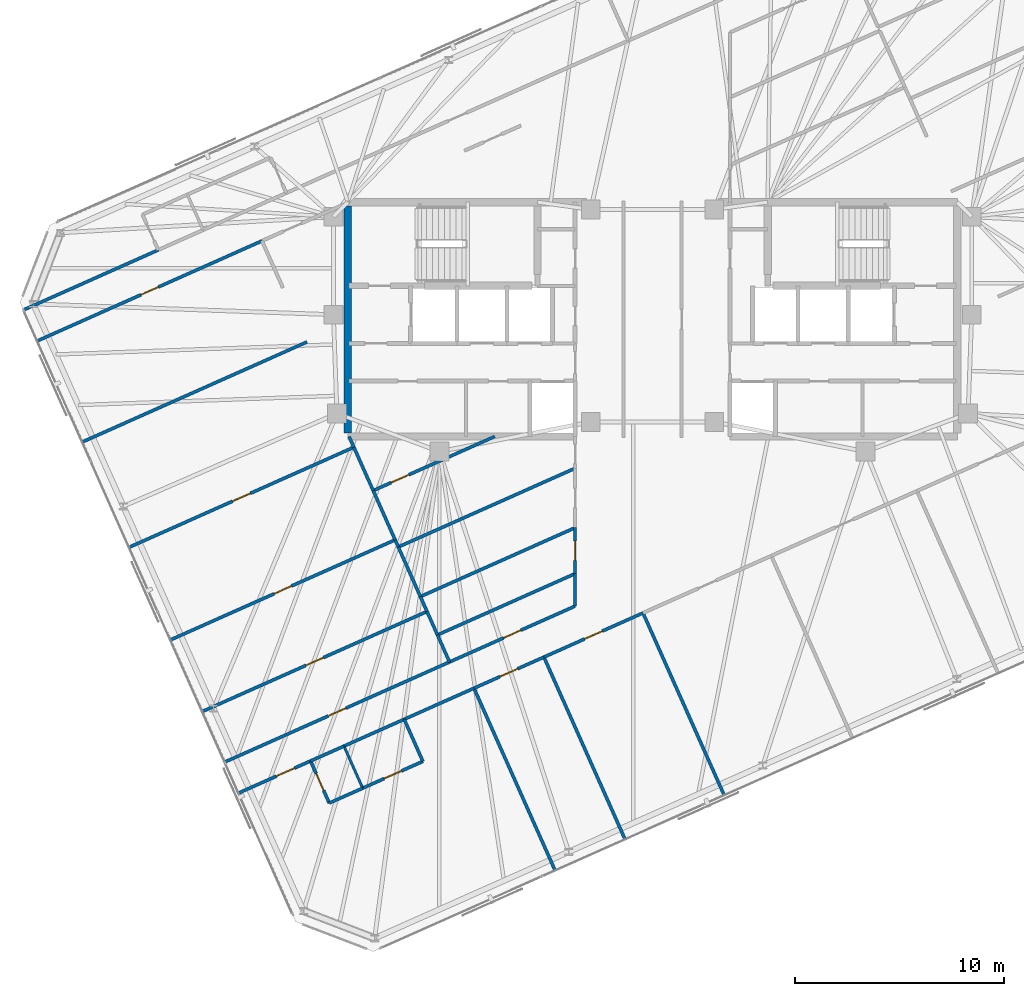
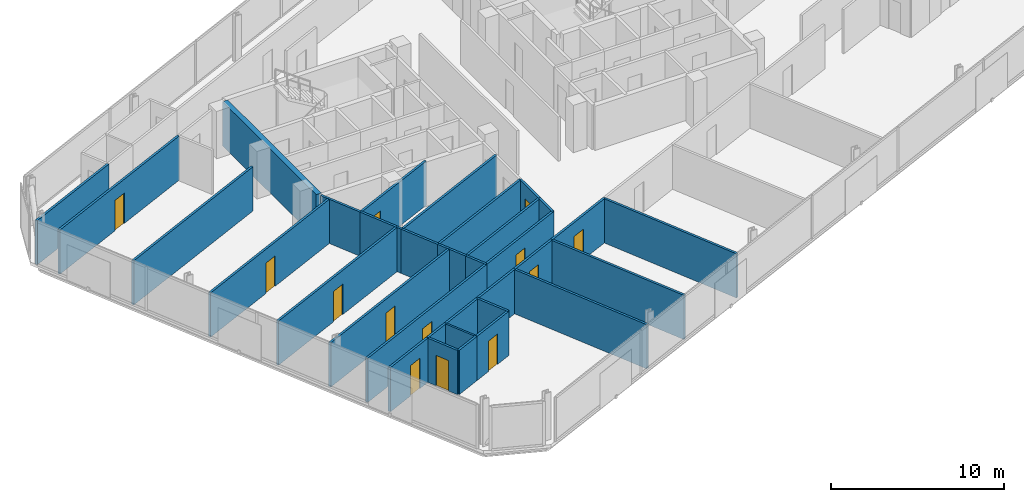
# One storey, part 13 of 19: 37 walls, 13 doors, 13 openings.
"""IFC4 building model written with IfcOpenShell, lengths in metres."""

from ifc_helpers import new_model, si_unit, direction, frame, frame_2d, origin, place, context, subcontext, project, spatial, rectangle, extrude, material, layer, layer_set, type_object, element, fill, save


model = new_model("IFC4")

# Units and contexts
model_context = context("Model", 3, precision=1e-05, world=origin(), true_north=direction((0.0, 1.0)))
body_context = subcontext(model_context, "Body", "Model", "MODEL_VIEW")
ifc_project = project(units=[si_unit("LENGTHUNIT", "METRE"), si_unit("AREAUNIT", "SQUARE_METRE"), si_unit("VOLUMEUNIT", "CUBIC_METRE"), si_unit("PLANEANGLEUNIT", "RADIAN"), si_unit("MASSUNIT", "GRAM", prefix="KILO")], contexts=[model_context])

# Site, building, storey
site_placement = place(None, origin())
site = spatial("IfcSite", under=ifc_project, at=site_placement, CompositionType="ELEMENT")
building_placement = place(site_placement, origin())
building = spatial("IfcBuilding", under=site, at=building_placement, Name="Menara Jurai Vektor", CompositionType="ELEMENT")
storey_placement = place(building_placement, frame((0.0, 0.0, 262.199951171875)))
storey = spatial("IfcBuildingStorey", under=building, at=storey_placement, Name="L70", CompositionType="ELEMENT", Elevation=262.199951171875)

# Wall
ifc_material_1 = material(Name="Gypsum Fireboard Partition", Category="gypsum")
ifc_layer_1 = layer(ifc_material_1, 0.14990234375)
ifc_layer_set_1 = layer_set([ifc_layer_1], Name="Gypsum Fireboard Partition")
wall_type_1 = type_object("IfcWallType", Name="INT-WALL-CORR-150", PredefinedType="PARTITIONING", material=ifc_layer_set_1)
wall_1_placement = place(storey_placement, frame((-30.063232421875, 0.44384765625, 0.0), z_axis=(0.0, 0.0, 1.0), x_axis=(0.91354584652, 0.406735769642, 0.0)))
element("IfcWall", 1, at=wall_1_placement, inside=storey, type_object=wall_type_1, Name="Interior Wall IW-150 L70", PredefinedType="PARTITIONING", context=body_context, shape_type="SweptSolid", body=[
    extrude(rectangle(XDim=7.052978515625, YDim=0.14990234375, at=frame_2d((3.5263671875, 0.0))), origin(), (0.0, 0.0, 1.0), 3.125),
])

# Wall, opening, door
wall_2_placement = place(storey_placement, frame((-19.786376953125, -22.638671875, 0.0), z_axis=(0.0, 0.0, 1.0), x_axis=(0.913541633228, 0.406745232743, 0.0)))
wall_2 = element("IfcWall", 2, at=wall_2_placement, inside=storey, type_object=wall_type_1, Name="Interior Wall IW-150 L70", PredefinedType="PARTITIONING", context=body_context, shape_type="SweptSolid", body=[
    extrude(rectangle(XDim=3.77001953125, YDim=0.14990234375, at=frame_2d((1.885009765625, 0.0))), origin(), (0.0, 0.0, 1.0), 3.125),
])
opening_1_placement = place(wall_2_placement, frame((1.9755859375, 0.0, 0.0)))
opening_1 = element("IfcOpeningElement", 3, at=opening_1_placement, cuts=wall_2, Name="Opening D70-15", PredefinedType="OPENING", context=body_context, shape_type="SweptSolid", body=[
    extrude(rectangle(XDim=0.949951171875, YDim=2.14990234375, at=frame_2d((0.47509765625, 1.074951171875))), frame((0.0, 0.0849609375, 0.0), z_axis=(0.0, -1.0, 0.0), x_axis=(1.0, 0.0, 0.0)), (0.0, 0.0, 1.0), 0.169921875),
])
ifc_material_2 = material(Name="Solid Core Timber Fire Door", Category="wood")
door_type_1 = type_object("IfcDoorType", Name="DR-ENTRY-950", OperationType="NOTDEFINED", PredefinedType="DOOR", material=ifc_material_2)
door_1_placement = place(opening_1_placement, origin())
door_1 = element("IfcDoor", 4, at=door_1_placement, inside=storey, type_object=door_type_1, Name="Interior Door D70-15", OperationType="SINGLE_SWING_RIGHT", OverallHeight=2.14990234375, OverallWidth=0.949951171875, PredefinedType="DOOR", context=body_context, shape_type="SweptSolid", body=[
    extrude(rectangle(XDim=0.949951171875, YDim=2.14990234375, at=frame_2d((0.47509765625, 1.074951171875))), frame((0.0, 0.02490234375, 0.0), z_axis=(0.0, -1.0, 0.0), x_axis=(1.0, 0.0, 0.0)), (0.0, 0.0, 1.0), 0.050048828125),
])
fill(opening_1, door_1)

# Walls
wall_3_placement = place(storey_placement, frame((-11.86767578125, -19.113037109375, 0.0), z_axis=(0.0, 0.0, 1.0), x_axis=(0.913543802, 0.40674036169, 0.0)))
element("IfcWall", 5, at=wall_3_placement, inside=storey, type_object=wall_type_1, Name="Interior Wall IW-150 L70", PredefinedType="PARTITIONING", context=body_context, shape_type="SweptSolid", body=[
    extrude(rectangle(XDim=3.650146484375, YDim=0.14990234375, at=frame_2d((1.8251953125, 0.0))), origin(), (0.0, 0.0, 1.0), 3.125),
])
wall_4_placement = place(storey_placement, frame((-16.34228515625, -21.105224609375, 0.0), z_axis=(0.0, 0.0, 1.0), x_axis=(0.9135579554, 0.406708571492, 0.0)))
element("IfcWall", 6, at=wall_4_placement, inside=storey, type_object=wall_type_1, Name="Interior Wall IW-150 L70", PredefinedType="PARTITIONING", context=body_context, shape_type="SweptSolid", body=[
    extrude(rectangle(XDim=1.748046875, YDim=0.14990234375, at=frame_2d((0.8740234375, 0.0))), origin(), (0.0, 0.0, 1.0), 3.125),
])
wall_5_placement = place(storey_placement, frame((-14.745361328125, -20.394287109375, 0.0), z_axis=(0.0, 0.0, 1.0), x_axis=(0.913542880558, 0.406742431252, 0.0)))
element("IfcWall", 7, at=wall_5_placement, inside=storey, type_object=wall_type_1, Name="Interior Wall IW-150 L70", PredefinedType="PARTITIONING", context=body_context, shape_type="SweptSolid", body=[
    extrude(rectangle(XDim=3.150146484375, YDim=0.14990234375, at=frame_2d((1.5751953125, 0.0))), origin(), (0.0, 0.0, 1.0), 3.125),
])

# Wall, opening, door
wall_6_placement = place(storey_placement, frame((-20.4453125, -21.15869140625, 0.0), z_axis=(0.0, 0.0, 1.0), x_axis=(0.913547681516, 0.406731648137, 0.0)))
wall_6 = element("IfcWall", 8, at=wall_6_placement, inside=storey, type_object=wall_type_1, Name="Interior Wall IW-150 L70", PredefinedType="PARTITIONING", context=body_context, shape_type="SweptSolid", body=[
    extrude(rectangle(XDim=11.760009765625, YDim=0.14990234375, at=frame_2d((5.8798828125, 0.0))), origin(), (0.0, 0.0, 1.0), 3.125),
])
opening_2_placement = place(wall_6_placement, frame((5.419921875, 0.0, 0.0)))
opening_2 = element("IfcOpeningElement", 9, at=opening_2_placement, cuts=wall_6, Name="Opening D70-21", PredefinedType="OPENING", context=body_context, shape_type="SweptSolid", body=[
    extrude(rectangle(XDim=0.919921875, YDim=2.14990234375, at=frame_2d((0.4599609375, 1.074951171875))), frame((0.0, 0.0849609375, 0.0), z_axis=(0.0, -1.0, 0.0), x_axis=(1.0, 0.0, 0.0)), (0.0, 0.0, 1.0), 0.169921875),
])
door_2_placement = place(opening_2_placement, origin())
door_2 = element("IfcDoor", 10, at=door_2_placement, inside=storey, type_object=door_type_1, Name="Interior Door D70-21", OperationType="SINGLE_SWING_RIGHT", OverallHeight=2.14990234375, OverallWidth=0.919921875, PredefinedType="DOOR", context=body_context, shape_type="SweptSolid", body=[
    extrude(rectangle(XDim=0.919921875, YDim=2.14990234375, at=frame_2d((0.4599609375, 1.074951171875))), frame((0.0, 0.02490234375, 0.0), z_axis=(0.0, -1.0, 0.0), x_axis=(1.0, 0.0, 0.0)), (0.0, 0.0, 1.0), 0.050048828125),
])
fill(opening_2, door_2)

wall_7_placement = place(storey_placement, frame((-29.404296875, -1.0361328125, 0.0), z_axis=(0.0, 0.0, 1.0), x_axis=(0.913544247064, 0.406739362069, 0.0)))
wall_7 = element("IfcWall", 11, at=wall_7_placement, inside=storey, type_object=wall_type_1, Name="Interior Wall IW-150 L70", PredefinedType="PARTITIONING", context=body_context, shape_type="SweptSolid", body=[
    extrude(rectangle(XDim=11.759765625, YDim=0.14990234375, at=frame_2d((5.8798828125, 0.0))), origin(), (0.0, 0.0, 1.0), 3.125),
])
opening_3_placement = place(wall_7_placement, frame((5.419921875, 0.0, 0.0)))
opening_3 = element("IfcOpeningElement", 12, at=opening_3_placement, cuts=wall_7, Name="Opening D70-25", PredefinedType="OPENING", context=body_context, shape_type="SweptSolid", body=[
    extrude(rectangle(XDim=0.919921875, YDim=2.14990234375, at=frame_2d((0.4599609375, 1.074951171875))), frame((0.0, 0.0849609375, 0.0), z_axis=(0.0, -1.0, 0.0), x_axis=(1.0, 0.0, 0.0)), (0.0, 0.0, 1.0), 0.169921875),
])
door_3_placement = place(opening_3_placement, origin())
door_3 = element("IfcDoor", 13, at=door_3_placement, inside=storey, type_object=door_type_1, Name="Interior Door D70-25", OperationType="SINGLE_SWING_RIGHT", OverallHeight=2.14990234375, OverallWidth=0.919921875, PredefinedType="DOOR", context=body_context, shape_type="SweptSolid", body=[
    extrude(rectangle(XDim=0.919921875, YDim=2.14990234375, at=frame_2d((0.4599609375, 1.074951171875))), frame((0.0, 0.02490234375, 0.0), z_axis=(0.0, -1.0, 0.0), x_axis=(1.0, 0.0, 0.0)), (0.0, 0.0, 1.0), 0.050048828125),
])
fill(opening_3, door_3)

wall_8_placement = place(storey_placement, frame((-8.533203125, -17.62841796875, 0.0), z_axis=(0.0, 0.0, 1.0), x_axis=(0.913560976273, 0.406701785873, 0.0)))
wall_8 = element("IfcWall", 14, at=wall_8_placement, inside=storey, type_object=wall_type_1, Name="Interior Wall IW-150 L70", PredefinedType="PARTITIONING", context=body_context, shape_type="SweptSolid", body=[
    extrude(rectangle(XDim=3.65869140625, YDim=0.14990234375, at=frame_2d((1.829345703125, 0.0))), origin(), (0.0, 0.0, 1.0), 3.125),
])
opening_4_placement = place(wall_8_placement, frame((1.369384765625, 0.0, 0.0)))
opening_4 = element("IfcOpeningElement", 15, at=opening_4_placement, cuts=wall_8, Name="Opening D70-26", PredefinedType="OPENING", context=body_context, shape_type="SweptSolid", body=[
    extrude(rectangle(XDim=0.919921875, YDim=2.14990234375, at=frame_2d((0.4599609375, 1.074951171875))), frame((0.0, 0.0849609375, 0.0), z_axis=(0.0, -1.0, 0.0), x_axis=(1.0, 0.0, 0.0)), (0.0, 0.0, 1.0), 0.169921875),
])
door_4_placement = place(opening_4_placement, origin())
door_4 = element("IfcDoor", 16, at=door_4_placement, inside=storey, type_object=door_type_1, Name="Interior Door D70-26", OperationType="SINGLE_SWING_LEFT", OverallHeight=2.14990234375, OverallWidth=0.919921875, PredefinedType="DOOR", context=body_context, shape_type="SweptSolid", body=[
    extrude(rectangle(XDim=0.919921875, YDim=2.14990234375, at=frame_2d((0.4599609375, 1.074951171875))), frame((0.0, 0.02490234375, 0.0), z_axis=(0.0, -1.0, 0.0), x_axis=(1.0, 0.0, 0.0)), (0.0, 0.0, 1.0), 0.050048828125),
])
fill(opening_4, door_4)

wall_9_placement = place(storey_placement, frame((-5.190673828125, -16.140380859375, 0.0), z_axis=(0.0, 0.0, 1.0), x_axis=(0.913541346619, 0.40674587646, 0.0)))
wall_9 = element("IfcWall", 17, at=wall_9_placement, inside=storey, type_object=wall_type_1, Name="Interior Wall IW-150 L70", PredefinedType="PARTITIONING", context=body_context, shape_type="SweptSolid", body=[
    extrude(rectangle(XDim=5.182861328125, YDim=0.14990234375, at=frame_2d((2.59130859375, 0.0))), origin(), (0.0, 0.0, 1.0), 3.125),
])
opening_5_placement = place(wall_9_placement, frame((2.131591796875, 0.0, 0.0)))
opening_5 = element("IfcOpeningElement", 18, at=opening_5_placement, cuts=wall_9, Name="Opening D70-27", PredefinedType="OPENING", context=body_context, shape_type="SweptSolid", body=[
    extrude(rectangle(XDim=0.919921875, YDim=2.14990234375, at=frame_2d((0.4599609375, 1.074951171875))), frame((0.0, 0.0849609375, 0.0), z_axis=(0.0, -1.0, 0.0), x_axis=(1.0, 0.0, 0.0)), (0.0, 0.0, 1.0), 0.169921875),
])
door_5_placement = place(opening_5_placement, origin())
door_5 = element("IfcDoor", 19, at=door_5_placement, inside=storey, type_object=door_type_1, Name="Interior Door D70-27", OperationType="SINGLE_SWING_RIGHT", OverallHeight=2.14990234375, OverallWidth=0.919921875, PredefinedType="DOOR", context=body_context, shape_type="SweptSolid", body=[
    extrude(rectangle(XDim=0.919921875, YDim=2.14990234375, at=frame_2d((0.4599609375, 1.074951171875))), frame((0.0, 0.02490234375, 0.0), z_axis=(0.0, -1.0, 0.0), x_axis=(1.0, 0.0, 0.0)), (0.0, 0.0, 1.0), 0.050048828125),
])
fill(opening_5, door_5)

wall_10_placement = place(storey_placement, frame((-9.701904296875, -16.37548828125, 0.0), z_axis=(0.0, 0.0, 1.0), x_axis=(0.913552389019, 0.406721074594, 0.0)))
wall_10 = element("IfcWall", 20, at=wall_10_placement, inside=storey, type_object=wall_type_1, Name="Interior Wall IW-150 L70", PredefinedType="PARTITIONING", context=body_context, shape_type="SweptSolid", body=[
    extrude(rectangle(XDim=6.56982421875, YDim=0.14990234375, at=frame_2d((3.284912109375, 0.0))), origin(), (0.0, 0.0, 1.0), 3.125),
])
opening_6_placement = place(wall_10_placement, frame((2.824951171875, 0.0, 0.0)))
opening_6 = element("IfcOpeningElement", 21, at=opening_6_placement, cuts=wall_10, Name="Opening D70-31", PredefinedType="OPENING", context=body_context, shape_type="SweptSolid", body=[
    extrude(rectangle(XDim=0.919921875, YDim=2.14990234375, at=frame_2d((0.4599609375, 1.074951171875))), frame((0.0, 0.0849609375, 0.0), z_axis=(0.0, -1.0, 0.0), x_axis=(1.0, 0.0, 0.0)), (0.0, 0.0, 1.0), 0.169921875),
])
door_6_placement = place(opening_6_placement, origin())
door_6 = element("IfcDoor", 22, at=door_6_placement, inside=storey, type_object=door_type_1, Name="Interior Door D70-31", OperationType="SINGLE_SWING_RIGHT", OverallHeight=2.14990234375, OverallWidth=0.919921875, PredefinedType="DOOR", context=body_context, shape_type="SweptSolid", body=[
    extrude(rectangle(XDim=0.919921875, YDim=2.14990234375, at=frame_2d((0.4599609375, 1.074951171875))), frame((0.0, 0.02490234375, 0.0), z_axis=(0.0, -1.0, 0.0), x_axis=(1.0, 0.0, 0.0)), (0.0, 0.0, 1.0), 0.050048828125),
])
fill(opening_6, door_6)

# Wall
wall_11_placement = place(storey_placement, frame((-3.699951171875, -13.703369140625, 0.0), z_axis=(0.0, 0.0, 1.0), x_axis=(-0.000157529929, 0.999999987592, 0.0)))
element("IfcWall", 23, at=wall_11_placement, inside=storey, type_object=wall_type_1, Name="Interior Wall IW-150 L70", PredefinedType="PARTITIONING", context=body_context, shape_type="SweptSolid", body=[
    extrude(rectangle(XDim=1.5498046875, YDim=0.14990234375, at=frame_2d((0.77490234375, 0.0))), origin(), (0.0, 0.0, 1.0), 3.125),
])

# Wall, opening, door
wall_12_placement = place(storey_placement, frame((-3.7001953125, -12.153564453125, 0.0), z_axis=(0.0, 0.0, 1.0), x_axis=(0.000111222333, 0.999999993815, 0.0)))
wall_12 = element("IfcWall", 24, at=wall_12_placement, inside=storey, type_object=wall_type_1, Name="Interior Wall IW-150 L70", PredefinedType="PARTITIONING", context=body_context, shape_type="SweptSolid", body=[
    extrude(rectangle(XDim=2.195068359375, YDim=0.14990234375, at=frame_2d((1.09765625, 0.0))), origin(), (0.0, 0.0, 1.0), 3.125),
])
opening_7_placement = place(wall_12_placement, frame((0.637451171875, 0.0, 0.0)))
opening_7 = element("IfcOpeningElement", 25, at=opening_7_placement, cuts=wall_12, Name="Opening D70-32", PredefinedType="OPENING", context=body_context, shape_type="SweptSolid", body=[
    extrude(rectangle(XDim=0.919921875, YDim=2.14990234375, at=frame_2d((0.4599609375, 1.074951171875))), frame((0.0, 0.0849609375, 0.0), z_axis=(0.0, -1.0, 0.0), x_axis=(1.0, 0.0, 0.0)), (0.0, 0.0, 1.0), 0.169921875),
])
door_7_placement = place(opening_7_placement, origin())
door_7 = element("IfcDoor", 26, at=door_7_placement, inside=storey, type_object=door_type_1, Name="Interior Door D70-32", OperationType="SINGLE_SWING_LEFT", OverallHeight=2.14990234375, OverallWidth=0.919921875, PredefinedType="DOOR", context=body_context, shape_type="SweptSolid", body=[
    extrude(rectangle(XDim=0.919921875, YDim=2.14990234375, at=frame_2d((0.4599609375, 1.074951171875))), frame((0.0, 0.02490234375, 0.0), z_axis=(0.0, -1.0, 0.0), x_axis=(1.0, 0.0, 0.0)), (0.0, 0.0, 1.0), 0.050048828125),
])
fill(opening_7, door_7)

wall_13_placement = place(storey_placement, frame((-15.447509765625, -23.114990234375, 0.0), z_axis=(0.0, 0.0, 1.0), x_axis=(-0.406725294076, 0.913550510459, 0.0)))
wall_13 = element("IfcWall", 27, at=wall_13_placement, inside=storey, type_object=wall_type_1, Name="Interior Wall IW-150 L70", PredefinedType="PARTITIONING", context=body_context, shape_type="SweptSolid", body=[
    extrude(rectangle(XDim=2.199951171875, YDim=0.14990234375, at=frame_2d((1.10009765625, 0.0))), origin(), (0.0, 0.0, 1.0), 3.125),
])
opening_8_placement = place(wall_13_placement, frame((0.659912109375, 0.0, 0.0)))
opening_8 = element("IfcOpeningElement", 28, at=opening_8_placement, cuts=wall_13, Name="Opening D70-16", PredefinedType="OPENING", context=body_context, shape_type="SweptSolid", body=[
    extrude(rectangle(XDim=0.8798828125, YDim=2.14990234375, at=frame_2d((0.43994140625, 1.074951171875))), frame((0.0, 0.0849609375, 0.0), z_axis=(0.0, -1.0, 0.0), x_axis=(1.0, 0.0, 0.0)), (0.0, 0.0, 1.0), 0.169921875),
])
ifc_material_3 = material(Name="Moisture-Resistant Timber Door", Category="wood")
door_type_2 = type_object("IfcDoorType", Name="DR-BATH-880", OperationType="NOTDEFINED", PredefinedType="DOOR", material=ifc_material_3)
door_8_placement = place(opening_8_placement, origin())
door_8 = element("IfcDoor", 29, at=door_8_placement, inside=storey, type_object=door_type_2, Name="Interior Door D70-16", OperationType="SINGLE_SWING_LEFT", OverallHeight=2.14990234375, OverallWidth=0.8798828125, PredefinedType="DOOR", context=body_context, shape_type="SweptSolid", body=[
    extrude(rectangle(XDim=0.8798828125, YDim=2.14990234375, at=frame_2d((0.43994140625, 1.074951171875))), frame((0.0, 0.02490234375, 0.0), z_axis=(0.0, -1.0, 0.0), x_axis=(1.0, 0.0, 0.0)), (0.0, 0.0, 1.0), 0.050048828125),
])
fill(opening_8, door_8)

# Wall
wall_14_placement = place(storey_placement, frame((-15.447509765625, -23.114990234375, 0.0), z_axis=(0.0, 0.0, 1.0), x_axis=(0.9135579554, 0.406708571492, 0.0)))
element("IfcWall", 30, at=wall_14_placement, inside=storey, type_object=wall_type_1, Name="Interior Wall IW-150 L70", PredefinedType="PARTITIONING", context=body_context, shape_type="SweptSolid", body=[
    extrude(rectangle(XDim=1.748046875, YDim=0.14990234375, at=frame_2d((0.8740234375, 0.0))), origin(), (0.0, 0.0, 1.0), 3.125),
])

# Wall, opening, door
wall_15_placement = place(storey_placement, frame((-13.8505859375, -22.404052734375, 0.0), z_axis=(0.0, 0.0, 1.0), x_axis=(0.913542880558, 0.406742431252, 0.0)))
wall_15 = element("IfcWall", 31, at=wall_15_placement, inside=storey, type_object=wall_type_1, Name="Interior Wall IW-150 L70", PredefinedType="PARTITIONING", context=body_context, shape_type="SweptSolid", body=[
    extrude(rectangle(XDim=3.150146484375, YDim=0.14990234375, at=frame_2d((1.5751953125, 0.0))), origin(), (0.0, 0.0, 1.0), 3.125),
])
opening_9_placement = place(wall_15_placement, frame((1.125, 0.0, 0.0)))
opening_9 = element("IfcOpeningElement", 32, at=opening_9_placement, cuts=wall_15, Name="Opening D70-17", PredefinedType="OPENING", context=body_context, shape_type="SweptSolid", body=[
    extrude(rectangle(XDim=0.89990234375, YDim=2.14990234375, at=frame_2d((0.449951171875, 1.074951171875))), frame((0.0, 0.0849609375, 0.0), z_axis=(0.0, -1.0, 0.0), x_axis=(1.0, 0.0, 0.0)), (0.0, 0.0, 1.0), 0.169921875),
])
ifc_material_4 = material(Name="Acoustic Timber Interior Door", Category="wood")
door_type_3 = type_object("IfcDoorType", Name="DR-ROOM-900", OperationType="NOTDEFINED", PredefinedType="DOOR", material=ifc_material_4)
door_9_placement = place(opening_9_placement, origin())
door_9 = element("IfcDoor", 33, at=door_9_placement, inside=storey, type_object=door_type_3, Name="Interior Door D70-17", OperationType="SINGLE_SWING_RIGHT", OverallHeight=2.14990234375, OverallWidth=0.89990234375, PredefinedType="DOOR", context=body_context, shape_type="SweptSolid", body=[
    extrude(rectangle(XDim=0.89990234375, YDim=2.14990234375, at=frame_2d((0.449951171875, 1.074951171875))), frame((0.0, 0.02490234375, 0.0), z_axis=(0.0, -1.0, 0.0), x_axis=(1.0, 0.0, 0.0)), (0.0, 0.0, 1.0), 0.050048828125),
])
fill(opening_9, door_9)

# Walls
wall_16_placement = place(storey_placement, frame((-10.972900390625, -21.122802734375, 0.0), z_axis=(0.0, 0.0, 1.0), x_axis=(-0.406725294076, 0.913550510459, 0.0)))
element("IfcWall", 34, at=wall_16_placement, inside=storey, type_object=wall_type_1, Name="Interior Wall IW-150 L70", PredefinedType="PARTITIONING", context=body_context, shape_type="SweptSolid", body=[
    extrude(rectangle(XDim=2.199951171875, YDim=0.14990234375, at=frame_2d((1.10009765625, 0.0))), origin(), (0.0, 0.0, 1.0), 3.125),
])
wall_17_placement = place(storey_placement, frame((-4.655029296875, -26.339111328125, 0.0), z_axis=(0.0, 0.0, 1.0), x_axis=(-0.406729927653, 0.913548447512, 0.0)))
element("IfcWall", 35, at=wall_17_placement, inside=storey, type_object=wall_type_1, Name="Interior Wall IW-150 L70", PredefinedType="PARTITIONING", context=body_context, shape_type="SweptSolid", body=[
    extrude(rectangle(XDim=9.534912109375, YDim=0.14990234375, at=frame_2d((4.767578125, 0.0))), origin(), (0.0, 0.0, 1.0), 3.125),
])

# Wall, opening, door
wall_18_placement = place(storey_placement, frame((-21.520263671875, -18.744384765625, 0.0), z_axis=(0.0, 0.0, 1.0), x_axis=(0.913539967617, 0.406748973651, 0.0)))
wall_18 = element("IfcWall", 36, at=wall_18_placement, inside=storey, type_object=wall_type_1, Name="Interior Wall IW-150 L70", PredefinedType="PARTITIONING", context=body_context, shape_type="SweptSolid", body=[
    extrude(rectangle(XDim=11.76025390625, YDim=0.14990234375, at=frame_2d((5.880126953125, 0.0))), origin(), (0.0, 0.0, 1.0), 3.125),
])
opening_10_placement = place(wall_18_placement, frame((5.419921875, 0.0, 0.0)))
opening_10 = element("IfcOpeningElement", 37, at=opening_10_placement, cuts=wall_18, Name="Opening D70-22", PredefinedType="OPENING", context=body_context, shape_type="SweptSolid", body=[
    extrude(rectangle(XDim=0.919921875, YDim=2.14990234375, at=frame_2d((0.4599609375, 1.074951171875))), frame((0.0, 0.0849609375, 0.0), z_axis=(0.0, -1.0, 0.0), x_axis=(1.0, 0.0, 0.0)), (0.0, 0.0, 1.0), 0.169921875),
])
door_10_placement = place(opening_10_placement, origin())
door_10 = element("IfcDoor", 38, at=door_10_placement, inside=storey, type_object=door_type_1, Name="Interior Door D70-22", OperationType="SINGLE_SWING_LEFT", OverallHeight=2.14990234375, OverallWidth=0.919921875, PredefinedType="DOOR", context=body_context, shape_type="SweptSolid", body=[
    extrude(rectangle(XDim=0.919921875, YDim=2.14990234375, at=frame_2d((0.4599609375, 1.074951171875))), frame((0.0, 0.02490234375, 0.0), z_axis=(0.0, -1.0, 0.0), x_axis=(1.0, 0.0, 0.0)), (0.0, 0.0, 1.0), 0.050048828125),
])
fill(opening_10, door_10)

# Walls
wall_19_placement = place(storey_placement, frame((-9.701904296875, -16.37548828125, 0.0), z_axis=(0.0, 0.0, 1.0), x_axis=(-0.406762319034, 0.913534025537, 0.0)))
element("IfcWall", 39, at=wall_19_placement, inside=storey, type_object=wall_type_1, Name="Interior Wall IW-150 L70", PredefinedType="PARTITIONING", context=body_context, shape_type="SweptSolid", body=[
    extrude(rectangle(XDim=1.415771484375, YDim=0.14990234375, at=frame_2d((0.7080078125, 0.0))), origin(), (0.0, 0.0, 1.0), 3.125),
])
wall_20_placement = place(storey_placement, frame((-10.27783203125, -15.08203125, 0.0), z_axis=(0.0, 0.0, 1.0), x_axis=(-0.406655262741, 0.913581686159, 0.0)))
element("IfcWall", 40, at=wall_20_placement, inside=storey, type_object=wall_type_1, Name="Interior Wall IW-150 L70", PredefinedType="PARTITIONING", context=body_context, shape_type="SweptSolid", body=[
    extrude(rectangle(XDim=1.22705078125, YDim=0.14990234375, at=frame_2d((0.613525390625, 0.0))), origin(), (0.0, 0.0, 1.0), 3.125),
])

# Wall, opening, door
wall_21_placement = place(storey_placement, frame((-23.04345703125, -15.322998046875, 0.0), z_axis=(0.0, 0.0, 1.0), x_axis=(0.913547681516, 0.406731648137, 0.0)))
wall_21 = element("IfcWall", 41, at=wall_21_placement, inside=storey, type_object=wall_type_1, Name="Interior Wall IW-150 L70", PredefinedType="PARTITIONING", context=body_context, shape_type="SweptSolid", body=[
    extrude(rectangle(XDim=11.760009765625, YDim=0.14990234375, at=frame_2d((5.8798828125, 0.0))), origin(), (0.0, 0.0, 1.0), 3.125),
])
opening_11_placement = place(wall_21_placement, frame((5.419921875, 0.0, 0.0)))
opening_11 = element("IfcOpeningElement", 42, at=opening_11_placement, cuts=wall_21, Name="Opening D70-23", PredefinedType="OPENING", context=body_context, shape_type="SweptSolid", body=[
    extrude(rectangle(XDim=0.919921875, YDim=2.14990234375, at=frame_2d((0.4599609375, 1.074951171875))), frame((0.0, 0.0849609375, 0.0), z_axis=(0.0, -1.0, 0.0), x_axis=(1.0, 0.0, 0.0)), (0.0, 0.0, 1.0), 0.169921875),
])
door_11_placement = place(opening_11_placement, origin())
door_11 = element("IfcDoor", 43, at=door_11_placement, inside=storey, type_object=door_type_1, Name="Interior Door D70-23", OperationType="SINGLE_SWING_RIGHT", OverallHeight=2.14990234375, OverallWidth=0.919921875, PredefinedType="DOOR", context=body_context, shape_type="SweptSolid", body=[
    extrude(rectangle(XDim=0.919921875, YDim=2.14990234375, at=frame_2d((0.4599609375, 1.074951171875))), frame((0.0, 0.02490234375, 0.0), z_axis=(0.0, -1.0, 0.0), x_axis=(1.0, 0.0, 0.0)), (0.0, 0.0, 1.0), 0.050048828125),
])
fill(opening_11, door_11)

# Walls
wall_22_placement = place(storey_placement, frame((-10.77685546875, -13.9609375, 0.0), z_axis=(0.0, 0.0, 1.0), x_axis=(-0.406720744325, 0.913552536057, 0.0)))
element("IfcWall", 44, at=wall_22_placement, inside=storey, type_object=wall_type_1, Name="Interior Wall IW-150 L70", PredefinedType="PARTITIONING", context=body_context, shape_type="SweptSolid", body=[
    extrude(rectangle(XDim=0.77783203125, YDim=0.14990234375, at=frame_2d((0.388916015625, 0.0))), origin(), (0.0, 0.0, 1.0), 3.125),
])
wall_23_placement = place(storey_placement, frame((-11.09326171875, -13.250244140625, 0.0), z_axis=(0.0, 0.0, 1.0), x_axis=(-0.406723252866, 0.91355141923, 0.0)))
element("IfcWall", 45, at=wall_23_placement, inside=storey, type_object=wall_type_1, Name="Interior Wall IW-150 L70", PredefinedType="PARTITIONING", context=body_context, shape_type="SweptSolid", body=[
    extrude(rectangle(XDim=2.594970703125, YDim=0.14990234375, at=frame_2d((1.29736328125, 0.0))), origin(), (0.0, 0.0, 1.0), 3.125),
])
wall_24_placement = place(storey_placement, frame((-12.148681640625, -10.879638671875, 0.0), z_axis=(0.0, 0.0, 1.0), x_axis=(-0.406868995548, 0.913486519037, 0.0)))
element("IfcWall", 46, at=wall_24_placement, inside=storey, type_object=wall_type_1, Name="Interior Wall IW-150 L70", PredefinedType="PARTITIONING", context=body_context, shape_type="SweptSolid", body=[
    extrude(rectangle(XDim=0.3720703125, YDim=0.14990234375, at=frame_2d((0.18603515625, 0.0))), origin(), (0.0, 0.0, 1.0), 3.125),
])

# Wall, opening, door
wall_25_placement = place(storey_placement, frame((-25.014404296875, -10.89599609375, 0.0), z_axis=(0.0, 0.0, 1.0), x_axis=(0.913544247064, 0.406739362069, 0.0)))
wall_25 = element("IfcWall", 47, at=wall_25_placement, inside=storey, type_object=wall_type_1, Name="Interior Wall IW-150 L70", PredefinedType="PARTITIONING", context=body_context, shape_type="SweptSolid", body=[
    extrude(rectangle(XDim=11.759765625, YDim=0.14990234375, at=frame_2d((5.8798828125, 0.0))), origin(), (0.0, 0.0, 1.0), 3.125),
])
opening_12_placement = place(wall_25_placement, frame((5.419921875, 0.0, 0.0)))
opening_12 = element("IfcOpeningElement", 48, at=opening_12_placement, cuts=wall_25, Name="Opening D70-24", PredefinedType="OPENING", context=body_context, shape_type="SweptSolid", body=[
    extrude(rectangle(XDim=0.919921875, YDim=2.14990234375, at=frame_2d((0.4599609375, 1.074951171875))), frame((0.0, 0.0849609375, 0.0), z_axis=(0.0, -1.0, 0.0), x_axis=(1.0, 0.0, 0.0)), (0.0, 0.0, 1.0), 0.169921875),
])
door_12_placement = place(opening_12_placement, origin())
door_12 = element("IfcDoor", 49, at=door_12_placement, inside=storey, type_object=door_type_1, Name="Interior Door D70-24", OperationType="SINGLE_SWING_LEFT", OverallHeight=2.14990234375, OverallWidth=0.919921875, PredefinedType="DOOR", context=body_context, shape_type="SweptSolid", body=[
    extrude(rectangle(XDim=0.919921875, YDim=2.14990234375, at=frame_2d((0.4599609375, 1.074951171875))), frame((0.0, 0.02490234375, 0.0), z_axis=(0.0, -1.0, 0.0), x_axis=(1.0, 0.0, 0.0)), (0.0, 0.0, 1.0), 0.050048828125),
])
fill(opening_12, door_12)

# Walls
wall_26_placement = place(storey_placement, frame((-12.300048828125, -10.539794921875, 0.0), z_axis=(0.0, 0.0, 1.0), x_axis=(-0.406788806475, 0.913522231216, 0.0)))
element("IfcWall", 50, at=wall_26_placement, inside=storey, type_object=wall_type_1, Name="Interior Wall IW-150 L70", PredefinedType="PARTITIONING", context=body_context, shape_type="SweptSolid", body=[
    extrude(rectangle(XDim=2.5771484375, YDim=0.14990234375, at=frame_2d((1.28857421875, 0.0))), origin(), (0.0, 0.0, 1.0), 3.125),
])
wall_27_placement = place(storey_placement, frame((-13.348388671875, -8.185546875, 0.0), z_axis=(0.0, 0.0, 1.0), x_axis=(-0.40673740295, 0.913545119324, 0.0)))
element("IfcWall", 51, at=wall_27_placement, inside=storey, type_object=wall_type_1, Name="Interior Wall IW-150 L70", PredefinedType="PARTITIONING", context=body_context, shape_type="SweptSolid", body=[
    extrude(rectangle(XDim=2.268798828125, YDim=0.14990234375, at=frame_2d((1.13427734375, 0.0))), origin(), (0.0, 0.0, 1.0), 3.125),
])
wall_28_placement = place(storey_placement, frame((-27.25439453125, -5.864990234375, 0.0), z_axis=(0.0, 0.0, 1.0), x_axis=(0.913547681516, 0.406731648137, 0.0)))
element("IfcWall", 52, at=wall_28_placement, inside=storey, type_object=wall_type_1, Name="Interior Wall IW-150 L70", PredefinedType="PARTITIONING", context=body_context, shape_type="SweptSolid", body=[
    extrude(rectangle(XDim=11.760009765625, YDim=0.14990234375, at=frame_2d((5.8798828125, 0.0))), origin(), (0.0, 0.0, 1.0), 3.125),
])
wall_29_placement = place(storey_placement, frame((-14.271240234375, -6.11279296875, 0.0), z_axis=(0.0, 0.0, 1.0), x_axis=(-0.406622099206, 0.913596447255, 0.0)))
element("IfcWall", 53, at=wall_29_placement, inside=storey, type_object=wall_type_1, Name="Interior Wall IW-150 L70", PredefinedType="PARTITIONING", context=body_context, shape_type="SweptSolid", body=[
    extrude(rectangle(XDim=0.56201171875, YDim=0.14990234375, at=frame_2d((0.281005859375, 0.0))), origin(), (0.0, 0.0, 1.0), 3.125),
])
wall_30_placement = place(storey_placement, frame((-1.312255859375, -24.850830078125, 0.0), z_axis=(0.0, 0.0, 1.0), x_axis=(-0.406760810574, 0.913534697196, 0.0)))
element("IfcWall", 54, at=wall_30_placement, inside=storey, type_object=wall_type_1, Name="Interior Wall IW-150 L70", PredefinedType="PARTITIONING", context=body_context, shape_type="SweptSolid", body=[
    extrude(rectangle(XDim=9.534912109375, YDim=0.14990234375, at=frame_2d((4.767578125, 0.0))), origin(), (0.0, 0.0, 1.0), 3.125),
])
wall_31_placement = place(storey_placement, frame((3.422607421875, -22.742919921875, 0.0), z_axis=(0.0, 0.0, 1.0), x_axis=(-0.406751296215, 0.913538933504, 0.0)))
element("IfcWall", 55, at=wall_31_placement, inside=storey, type_object=wall_type_1, Name="Interior Wall IW-150 L70", PredefinedType="PARTITIONING", context=body_context, shape_type="SweptSolid", body=[
    extrude(rectangle(XDim=9.53515625, YDim=0.14990234375, at=frame_2d((4.767578125, 0.0))), origin(), (0.0, 0.0, 1.0), 3.125),
])
wall_32_placement = place(storey_placement, frame((-10.27783203125, -15.08203125, 0.0), z_axis=(0.0, 0.0, 1.0), x_axis=(0.913549882956, 0.406726703513, 0.0)))
element("IfcWall", 56, at=wall_32_placement, inside=storey, type_object=wall_type_1, Name="Interior Wall IW-150 L70", PredefinedType="PARTITIONING", context=body_context, shape_type="SweptSolid", body=[
    extrude(rectangle(XDim=7.2001953125, YDim=0.14990234375, at=frame_2d((3.60009765625, 0.0))), origin(), (0.0, 0.0, 1.0), 3.125),
])
wall_33_placement = place(storey_placement, frame((-11.09326171875, -13.250244140625, 0.0), z_axis=(0.0, 0.0, 1.0), x_axis=(0.913543891457, 0.406740160767, 0.0)))
element("IfcWall", 57, at=wall_33_placement, inside=storey, type_object=wall_type_1, Name="Interior Wall IW-150 L70", PredefinedType="PARTITIONING", context=body_context, shape_type="SweptSolid", body=[
    extrude(rectangle(XDim=8.093017578125, YDim=0.14990234375, at=frame_2d((4.04638671875, 0.0))), origin(), (0.0, 0.0, 1.0), 3.125),
])
wall_34_placement = place(storey_placement, frame((-12.148681640625, -10.879638671875, 0.0), z_axis=(0.0, 0.0, 1.0), x_axis=(0.913542450291, 0.406743397631, 0.0)))
element("IfcWall", 58, at=wall_34_placement, inside=storey, type_object=wall_type_1, Name="Interior Wall IW-150 L70", PredefinedType="PARTITIONING", context=body_context, shape_type="SweptSolid", body=[
    extrude(rectangle(XDim=9.247802734375, YDim=0.14990234375, at=frame_2d((4.6240234375, 0.0))), origin(), (0.0, 0.0, 1.0), 3.125),
])

# Wall, opening, door
wall_35_placement = place(storey_placement, frame((-13.348388671875, -8.185546875, 0.0), z_axis=(0.0, 0.0, 1.0), x_axis=(0.913551673432, 0.406722681896, 0.0)))
wall_35 = element("IfcWall", 59, at=wall_35_placement, inside=storey, type_object=wall_type_1, Name="Interior Wall IW-150 L70", PredefinedType="PARTITIONING", context=body_context, shape_type="SweptSolid", body=[
    extrude(rectangle(XDim=6.35791015625, YDim=0.14990234375, at=frame_2d((3.178955078125, 0.0))), origin(), (0.0, 0.0, 1.0), 3.125),
])
opening_13_placement = place(wall_35_placement, frame((0.938720703125, 0.0, 0.0)))
opening_13 = element("IfcOpeningElement", 60, at=opening_13_placement, cuts=wall_35, Name="Opening D70-35", PredefinedType="OPENING", context=body_context, shape_type="SweptSolid", body=[
    extrude(rectangle(XDim=0.919921875, YDim=2.14990234375, at=frame_2d((0.4599609375, 1.074951171875))), frame((0.0, 0.0849609375, 0.0), z_axis=(0.0, -1.0, 0.0), x_axis=(1.0, 0.0, 0.0)), (0.0, 0.0, 1.0), 0.169921875),
])
door_13_placement = place(opening_13_placement, origin())
door_13 = element("IfcDoor", 61, at=door_13_placement, inside=storey, type_object=door_type_1, Name="Interior Door D70-35", OperationType="SINGLE_SWING_RIGHT", OverallHeight=2.14990234375, OverallWidth=0.919921875, PredefinedType="DOOR", context=body_context, shape_type="SweptSolid", body=[
    extrude(rectangle(XDim=0.919921875, YDim=2.14990234375, at=frame_2d((0.4599609375, 1.074951171875))), frame((0.0, 0.02490234375, 0.0), z_axis=(0.0, -1.0, 0.0), x_axis=(1.0, 0.0, 0.0)), (0.0, 0.0, 1.0), 0.050048828125),
])
fill(opening_13, door_13)

# Walls
ifc_material_5 = material(Name="Gypsum Acoustic Stud Partition", Category="gypsum")
ifc_layer_2 = layer(ifc_material_5, 0.1201171875)
ifc_layer_set_2 = layer_set([ifc_layer_2], Name="Gypsum Acoustic Stud Partition")
wall_type_2 = type_object("IfcWallType", Name="INT-WALL-PART-120", PredefinedType="PARTITIONING", material=ifc_layer_set_2)
wall_36_placement = place(storey_placement, frame((-13.8505859375, -22.404052734375, 0.0), z_axis=(0.0, 0.0, 1.0), x_axis=(-0.406725294076, 0.913550510459, 0.0)))
element("IfcWall", 62, at=wall_36_placement, inside=storey, type_object=wall_type_2, Name="Interior Wall IW-120 L70", PredefinedType="PARTITIONING", context=body_context, shape_type="SweptSolid", body=[
    extrude(rectangle(XDim=2.199951171875, YDim=0.1201171875, at=frame_2d((1.10009765625, 0.0))), origin(), (0.0, 0.0, 1.0), 3.125),
])
ifc_material_6 = material(Name="Concrete C50/60", Category="concrete")
ifc_layer_3 = layer(ifc_material_6, 0.35009765625)
ifc_layer_set_3 = layer_set([ifc_layer_3], Name="Concrete C50/60")
wall_type_3 = type_object("IfcWallType", Name="STR-WALL-CORE350", PredefinedType="SHEAR", material=ifc_layer_set_3)
wall_37_placement = place(storey_placement, frame((-14.56005859375, -5.425048828125, 0.0), z_axis=(0.0, 0.0, 1.0), x_axis=(0.0, 1.0, 0.0)))
element("IfcWall", 63, at=wall_37_placement, inside=storey, type_object=wall_type_3, Name="Core Shear Wall CW-W-W L70", PredefinedType="SHEAR", context=body_context, shape_type="SweptSolid", body=[
    extrude(rectangle(XDim=10.85009765625, YDim=0.35009765625, at=frame_2d((5.425048828125, 0.0))), origin(), (0.0, 0.0, 1.0), 3.125),
])

save(model, "model.ifc")
